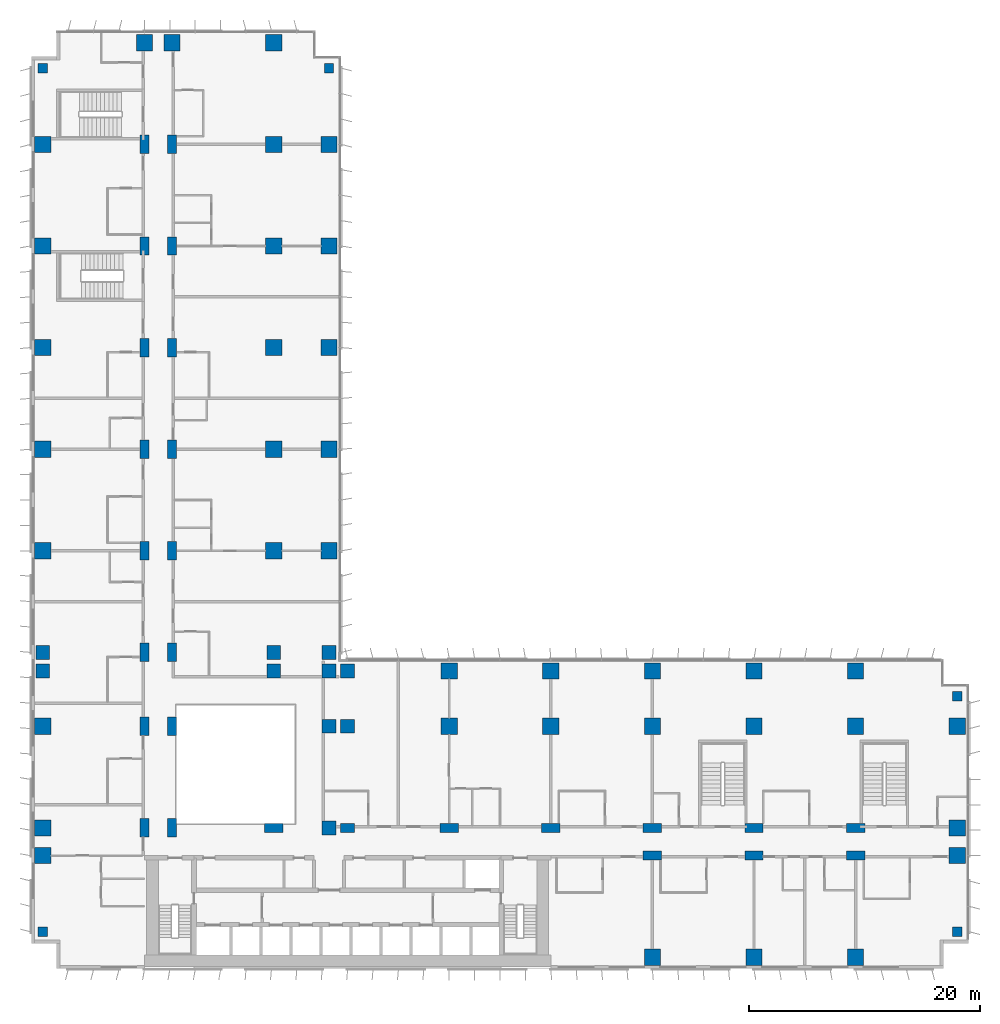
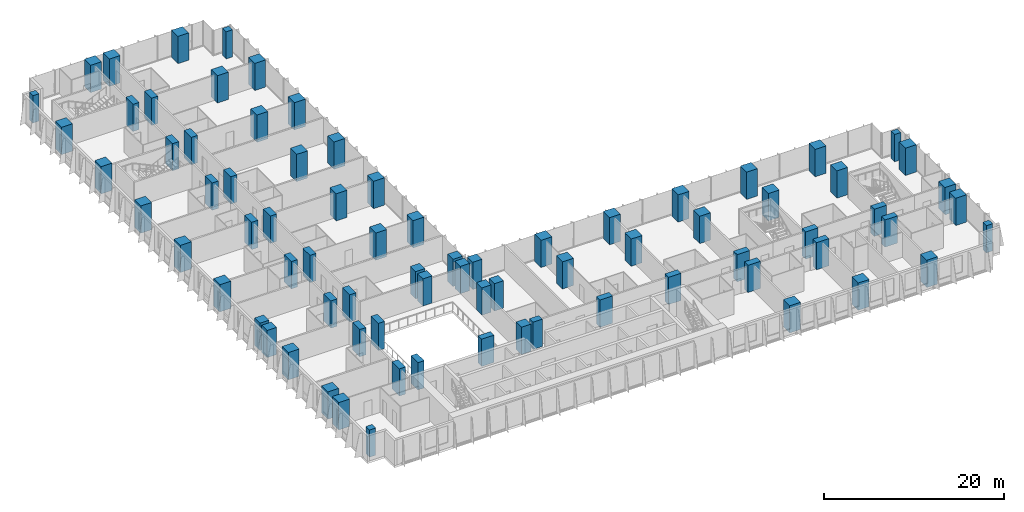
# One storey, part 1 of 24: 78 columns.
"""IFC4 building model written with IfcOpenShell, lengths in metres."""

from ifc_helpers import new_model, si_unit, direction, frame, origin, origin_2d, place, context, subcontext, project, spatial, rectangle, extrude, material, material_profile, profile_set, type_object, element, save


model = new_model("IFC4")

# Units and contexts
model_context = context("Model", 3, precision=1e-05, world=origin(), true_north=direction((0.0, 1.0)))
body_context = subcontext(model_context, "Body", "Model", "MODEL_VIEW")
ifc_project = project(units=[si_unit("LENGTHUNIT", "METRE"), si_unit("AREAUNIT", "SQUARE_METRE"), si_unit("VOLUMEUNIT", "CUBIC_METRE"), si_unit("PLANEANGLEUNIT", "RADIAN"), si_unit("MASSUNIT", "GRAM", prefix="KILO")], contexts=[model_context])

# Site, building, storey
site_placement = place(None, origin())
site = spatial("IfcSite", under=ifc_project, at=site_placement, CompositionType="ELEMENT")
building_placement = place(site_placement, origin())
building = spatial("IfcBuilding", under=site, at=building_placement, Name="Kemantara Hotel Tower", CompositionType="ELEMENT")
storey_placement = place(building_placement, frame((0.0, 0.0, 41.39990234375)))
storey = spatial("IfcBuildingStorey", under=building, at=storey_placement, Name="L08", CompositionType="ELEMENT", Elevation=41.39990234375)

# Columns
ifc_material = material(Name="Concrete fc 70 MPa", Category="concrete")
ifc_material_profile_1 = material_profile(ifc_material, rectangle(XDim=1.199951171875, YDim=1.199951171875, at=origin_2d()), Name="RC 1200X1200")
ifc_profile_set_1 = profile_set([ifc_material_profile_1], Name="Concrete fc 70 MPa")
column_type_1 = type_object("IfcColumnType", Name="RC COLUMN 1200X1200 FC70", PredefinedType="COLUMN", material=ifc_profile_set_1)
for number, where, z_axis, x_axis, name in (
    (1, (1.0, 25.800048828125, 0.0), (0.0, 0.0, 1.0), (1.0, 0.0, 0.0), "COLUMN 1/CA L08"),
    (2, (1.0, 27.39990234375, 0.0), (0.0, 0.0, 1.0), (1.0, 0.0, 0.0), "COLUMN 1/D L08"),
    (3, (21.0, 25.800048828125, 0.0), (0.0, 0.0, 1.0), (1.0, 0.0, 0.0), "COLUMN 3/CA L08"),
    (4, (21.0, 27.39990234375, 0.0), (0.0, 0.0, 1.0), (1.0, 0.0, 0.0), "COLUMN 3/D L08"),
    (5, (25.800048828125, 12.199951171875, 0.0), (0.0, 0.0, 1.0), (1.0, 0.0, 0.0), "COLUMN 3A/BA L08"),
    (6, (25.800048828125, 21.0, 0.0), (0.0, 0.0, 1.0), (1.0, 0.0, 0.0), "COLUMN 3A/C L08"),
    (7, (25.800048828125, 25.800048828125, 0.0), (0.0, 0.0, 1.0), (1.0, 0.0, 0.0), "COLUMN 3A/CA L08"),
    (8, (25.800048828125, 27.39990234375, 0.0), (0.0, 0.0, 1.0), (1.0, 0.0, 0.0), "COLUMN 3A/D L08"),
    (9, (27.39990234375, 21.0, 0.0), (0.0, 0.0, 1.0), (1.0, 0.0, 0.0), "COLUMN 4/C L08"),
    (10, (27.39990234375, 25.800048828125, 0.0), (0.0, 0.0, 1.0), (1.0, 0.0, 0.0), "COLUMN 4/CA L08"),
):
    element("IfcColumn", number, at=place(storey_placement, frame(where, z_axis=z_axis, x_axis=x_axis)), inside=storey, type_object=column_type_1, Name=name, PredefinedType="COLUMN", context=body_context, shape_type="SweptSolid", body=[
        extrude(rectangle(XDim=1.199951171875, YDim=1.199951171875, at=origin_2d()), origin(), (0.0, 0.0, 1.0), 3.7001953125),
    ])
ifc_material_profile_2 = material_profile(ifc_material, rectangle(XDim=1.199951171875, YDim=0.800048828125, at=origin_2d()), Name="RC 1200X800")
ifc_profile_set_2 = profile_set([ifc_material_profile_2], Name="Concrete fc 70 MPa")
column_type_2 = type_object("IfcColumnType", Name="RC COLUMN 1200X800 FC70", PredefinedType="COLUMN", material=ifc_profile_set_2)
column_placement = place(storey_placement, frame((27.39990234375, 12.199951171875, 0.0), z_axis=(0.0, 0.0, 1.0), x_axis=(1.0, 0.0, 0.0)))
element("IfcColumn", 11, at=column_placement, inside=storey, type_object=column_type_2, Name="COLUMN 4/BA L08", PredefinedType="COLUMN", context=body_context, shape_type="SweptSolid", body=[
    extrude(rectangle(XDim=1.199951171875, YDim=0.800048828125, at=origin_2d()), origin(), (0.0, 0.0, 1.0), 3.7001953125),
])
ifc_material_profile_3 = material_profile(ifc_material, rectangle(XDim=1.39990234375, YDim=1.39990234375, at=origin_2d()), Name="RC 1400X1400")
ifc_profile_set_3 = profile_set([ifc_material_profile_3], Name="Concrete fc 70 MPa")
column_type_3 = type_object("IfcColumnType", Name="RC COLUMN 1400X1400 FC70", PredefinedType="COLUMN", material=ifc_profile_set_3)
for number, where, z_axis, x_axis, name in (
    (12, (1.0, 9.800048828125, 0.0), (0.0, 0.0, 1.0), (1.0, 0.0, 0.0), "COLUMN 1/B L08"),
    (13, (1.0, 12.199951171875, 0.0), (0.0, 0.0, 1.0), (1.0, 0.0, 0.0), "COLUMN 1/BA L08"),
    (14, (1.0, 21.0, 0.0), (0.0, 0.0, 1.0), (1.0, 0.0, 0.0), "COLUMN 1/C L08"),
    (15, (1.0, 36.199951171875, 0.0), (0.0, 0.0, 1.0), (1.0, 0.0, 0.0), "COLUMN 1/E L08"),
    (16, (1.0, 45.0, 0.0), (0.0, 0.0, 1.0), (1.0, 0.0, 0.0), "COLUMN 1/F L08"),
    (17, (1.0, 53.800048828125, 0.0), (0.0, 0.0, 1.0), (1.0, 0.0, 0.0), "COLUMN 1/G L08"),
    (18, (1.0, 62.60009765625, 0.0), (0.0, 0.0, 1.0), (1.0, 0.0, 0.0), "COLUMN 1/H L08"),
    (19, (1.0, 71.39990234375, 0.0), (0.0, 0.0, 1.0), (1.0, 0.0, 0.0), "COLUMN 1/J L08"),
    (20, (9.800048828125, 80.199951171875, 0.0), (0.0, 0.0, 1.0), (1.0, 0.0, 0.0), "COLUMN 2/K L08"),
    (21, (12.199951171875, 80.199951171875, 0.0), (0.0, 0.0, 1.0), (1.0, 0.0, 0.0), "COLUMN 2A/K L08"),
    (22, (21.0, 36.199951171875, 0.0), (0.0, 0.0, 1.0), (1.0, 0.0, 0.0), "COLUMN 3/E L08"),
    (23, (21.0, 45.0, 0.0), (0.0, 0.0, 1.0), (1.0, 0.0, 0.0), "COLUMN 3/F L08"),
    (24, (21.0, 53.800048828125, 0.0), (0.0, 0.0, 1.0), (1.0, 0.0, 0.0), "COLUMN 3/G L08"),
    (25, (21.0, 62.60009765625, 0.0), (0.0, 0.0, 1.0), (1.0, 0.0, 0.0), "COLUMN 3/H L08"),
    (26, (21.0, 71.39990234375, 0.0), (0.0, 0.0, 1.0), (1.0, 0.0, 0.0), "COLUMN 3/J L08"),
    (27, (21.0, 80.199951171875, 0.0), (0.0, 0.0, 1.0), (1.0, 0.0, 0.0), "COLUMN 3/K L08"),
    (28, (25.800048828125, 36.199951171875, 0.0), (0.0, 0.0, 1.0), (1.0, 0.0, 0.0), "COLUMN 3A/E L08"),
    (29, (25.800048828125, 45.0, 0.0), (0.0, 0.0, 1.0), (1.0, 0.0, 0.0), "COLUMN 3A/F L08"),
    (30, (25.800048828125, 53.800048828125, 0.0), (0.0, 0.0, 1.0), (1.0, 0.0, 0.0), "COLUMN 3A/G L08"),
    (31, (25.800048828125, 62.60009765625, 0.0), (0.0, 0.0, 1.0), (1.0, 0.0, 0.0), "COLUMN 3A/H L08"),
    (32, (25.800048828125, 71.39990234375, 0.0), (0.0, 0.0, 1.0), (1.0, 0.0, 0.0), "COLUMN 3A/J L08"),
    (33, (36.199951171875, 21.0, 0.0), (0.0, 0.0, 1.0), (1.0, 0.0, 0.0), "COLUMN 5/C L08"),
    (34, (36.199951171875, 25.800048828125, 0.0), (0.0, 0.0, 1.0), (1.0, 0.0, 0.0), "COLUMN 5/CA L08"),
    (35, (45.0, 21.0, 0.0), (0.0, 0.0, 1.0), (1.0, 0.0, 0.0), "COLUMN 6/C L08"),
    (36, (45.0, 25.800048828125, 0.0), (0.0, 0.0, 1.0), (1.0, 0.0, 0.0), "COLUMN 6/CA L08"),
    (37, (53.800048828125, 1.0, 0.0), (0.0, 0.0, 1.0), (1.0, 0.0, 0.0), "COLUMN 7/A L08"),
    (38, (53.800048828125, 21.0, 0.0), (0.0, 0.0, 1.0), (1.0, 0.0, 0.0), "COLUMN 7/C L08"),
    (39, (53.800048828125, 25.800048828125, 0.0), (0.0, 0.0, 1.0), (1.0, 0.0, 0.0), "COLUMN 7/CA L08"),
    (40, (62.60009765625, 1.0, 0.0), (0.0, 0.0, 1.0), (1.0, 0.0, 0.0), "COLUMN 8/A L08"),
    (41, (62.60009765625, 21.0, 0.0), (0.0, 0.0, 1.0), (1.0, 0.0, 0.0), "COLUMN 8/C L08"),
    (42, (62.60009765625, 25.800048828125, 0.0), (0.0, 0.0, 1.0), (1.0, 0.0, 0.0), "COLUMN 8/CA L08"),
    (43, (71.39990234375, 1.0, 0.0), (0.0, 0.0, 1.0), (1.0, 0.0, 0.0), "COLUMN 9/A L08"),
    (44, (71.39990234375, 21.0, 0.0), (0.0, 0.0, 1.0), (1.0, 0.0, 0.0), "COLUMN 9/C L08"),
    (45, (71.39990234375, 25.800048828125, 0.0), (0.0, 0.0, 1.0), (1.0, 0.0, 0.0), "COLUMN 9/CA L08"),
    (46, (80.199951171875, 9.800048828125, 0.0), (0.0, 0.0, 1.0), (1.0, 0.0, 0.0), "COLUMN 10/B L08"),
    (47, (80.199951171875, 12.199951171875, 0.0), (0.0, 0.0, 1.0), (1.0, 0.0, 0.0), "COLUMN 10/BA L08"),
    (48, (80.199951171875, 21.0, 0.0), (0.0, 0.0, 1.0), (1.0, 0.0, 0.0), "COLUMN 10/C L08"),
):
    element("IfcColumn", number, at=place(storey_placement, frame(where, z_axis=z_axis, x_axis=x_axis)), inside=storey, type_object=column_type_3, Name=name, PredefinedType="COLUMN", context=body_context, shape_type="SweptSolid", body=[
        extrude(rectangle(XDim=1.39990234375, YDim=1.39990234375, at=origin_2d()), origin(), (0.0, 0.0, 1.0), 3.7001953125),
    ])
ifc_material_profile_4 = material_profile(ifc_material, rectangle(XDim=1.60009765625, YDim=0.800048828125, at=origin_2d()), Name="RC 1600X800")
ifc_profile_set_4 = profile_set([ifc_material_profile_4], Name="Concrete fc 70 MPa")
column_type_4 = type_object("IfcColumnType", Name="RC COLUMN 1600X800 FC70", PredefinedType="COLUMN", material=ifc_profile_set_4)
for number, where, z_axis, x_axis, name in (
    (49, (9.800048828125, 12.199951171875, 0.0), (0.0, 0.0, 1.0), (0.0, 1.0, 0.0), "COLUMN 2/BA L08"),
    (50, (9.800048828125, 21.0, 0.0), (0.0, 0.0, 1.0), (0.0, 1.0, 0.0), "COLUMN 2/C L08"),
    (51, (9.800048828125, 27.39990234375, 0.0), (0.0, 0.0, 1.0), (0.0, 1.0, 0.0), "COLUMN 2/D L08"),
    (52, (9.800048828125, 36.199951171875, 0.0), (0.0, 0.0, 1.0), (0.0, 1.0, 0.0), "COLUMN 2/E L08"),
    (53, (9.800048828125, 45.0, 0.0), (0.0, 0.0, 1.0), (0.0, 1.0, 0.0), "COLUMN 2/F L08"),
    (54, (9.800048828125, 53.800048828125, 0.0), (0.0, 0.0, 1.0), (0.0, 1.0, 0.0), "COLUMN 2/G L08"),
    (55, (9.800048828125, 62.60009765625, 0.0), (0.0, 0.0, 1.0), (0.0, 1.0, 0.0), "COLUMN 2/H L08"),
    (56, (9.800048828125, 71.39990234375, 0.0), (0.0, 0.0, 1.0), (0.0, 1.0, 0.0), "COLUMN 2/J L08"),
    (57, (12.199951171875, 12.199951171875, 0.0), (0.0, 0.0, 1.0), (0.0, 1.0, 0.0), "COLUMN 2A/BA L08"),
    (58, (12.199951171875, 21.0, 0.0), (0.0, 0.0, 1.0), (0.0, 1.0, 0.0), "COLUMN 2A/C L08"),
    (59, (12.199951171875, 27.39990234375, 0.0), (0.0, 0.0, 1.0), (0.0, 1.0, 0.0), "COLUMN 2A/D L08"),
    (60, (12.199951171875, 36.199951171875, 0.0), (0.0, 0.0, 1.0), (0.0, 1.0, 0.0), "COLUMN 2A/E L08"),
    (61, (12.199951171875, 45.0, 0.0), (0.0, 0.0, 1.0), (0.0, 1.0, 0.0), "COLUMN 2A/F L08"),
    (62, (12.199951171875, 53.800048828125, 0.0), (0.0, 0.0, 1.0), (0.0, 1.0, 0.0), "COLUMN 2A/G L08"),
    (63, (12.199951171875, 62.60009765625, 0.0), (0.0, 0.0, 1.0), (0.0, 1.0, 0.0), "COLUMN 2A/H L08"),
    (64, (12.199951171875, 71.39990234375, 0.0), (0.0, 0.0, 1.0), (0.0, 1.0, 0.0), "COLUMN 2A/J L08"),
    (65, (21.0, 12.199951171875, 0.0), (0.0, 0.0, 1.0), (1.0, 0.0, 0.0), "COLUMN 3/BA L08"),
    (66, (36.199951171875, 12.199951171875, 0.0), (0.0, 0.0, 1.0), (1.0, 0.0, 0.0), "COLUMN 5/BA L08"),
    (67, (45.0, 12.199951171875, 0.0), (0.0, 0.0, 1.0), (1.0, 0.0, 0.0), "COLUMN 6/BA L08"),
    (68, (53.800048828125, 9.800048828125, 0.0), (0.0, 0.0, 1.0), (1.0, 0.0, 0.0), "COLUMN 7/B L08"),
    (69, (53.800048828125, 12.199951171875, 0.0), (0.0, 0.0, 1.0), (1.0, 0.0, 0.0), "COLUMN 7/BA L08"),
    (70, (62.60009765625, 9.800048828125, 0.0), (0.0, 0.0, 1.0), (1.0, 0.0, 0.0), "COLUMN 8/B L08"),
    (71, (62.60009765625, 12.199951171875, 0.0), (0.0, 0.0, 1.0), (1.0, 0.0, 0.0), "COLUMN 8/BA L08"),
    (72, (71.39990234375, 9.800048828125, 0.0), (0.0, 0.0, 1.0), (1.0, 0.0, 0.0), "COLUMN 9/B L08"),
    (73, (71.39990234375, 12.199951171875, 0.0), (0.0, 0.0, 1.0), (1.0, 0.0, 0.0), "COLUMN 9/BA L08"),
):
    element("IfcColumn", number, at=place(storey_placement, frame(where, z_axis=z_axis, x_axis=x_axis)), inside=storey, type_object=column_type_4, Name=name, PredefinedType="COLUMN", context=body_context, shape_type="SweptSolid", body=[
        extrude(rectangle(XDim=1.60009765625, YDim=0.800048828125, at=origin_2d()), origin(), (0.0, 0.0, 1.0), 3.7001953125),
    ])
ifc_material_profile_5 = material_profile(ifc_material, rectangle(XDim=0.800048828125, YDim=0.800048828125, at=origin_2d()), Name="RC 800X800")
ifc_profile_set_5 = profile_set([ifc_material_profile_5], Name="Concrete fc 70 MPa")
column_type_5 = type_object("IfcColumnType", Name="RC COLUMN 800X800 FC70", PredefinedType="COLUMN", material=ifc_profile_set_5)
for number, where, z_axis, x_axis, name in (
    (74, (1.0, 3.199951171875, 0.0), (0.0, 0.0, 1.0), (1.0, 0.0, 0.0), "COLUMN notch corner L08"),
    (75, (1.0, 78.0, 0.0), (0.0, 0.0, 1.0), (1.0, 0.0, 0.0), "COLUMN notch corner L08"),
    (76, (25.800048828125, 78.0, 0.0), (0.0, 0.0, 1.0), (1.0, 0.0, 0.0), "COLUMN notch corner L08"),
    (77, (80.199951171875, 3.199951171875, 0.0), (0.0, 0.0, 1.0), (1.0, 0.0, 0.0), "COLUMN notch corner L08"),
    (78, (80.199951171875, 23.60009765625, 0.0), (0.0, 0.0, 1.0), (1.0, 0.0, 0.0), "COLUMN notch corner L08"),
):
    element("IfcColumn", number, at=place(storey_placement, frame(where, z_axis=z_axis, x_axis=x_axis)), inside=storey, type_object=column_type_5, Name=name, PredefinedType="COLUMN", context=body_context, shape_type="SweptSolid", body=[
        extrude(rectangle(XDim=0.800048828125, YDim=0.800048828125, at=origin_2d()), origin(), (0.0, 0.0, 1.0), 3.7001953125),
    ])

save(model, "model.ifc")
